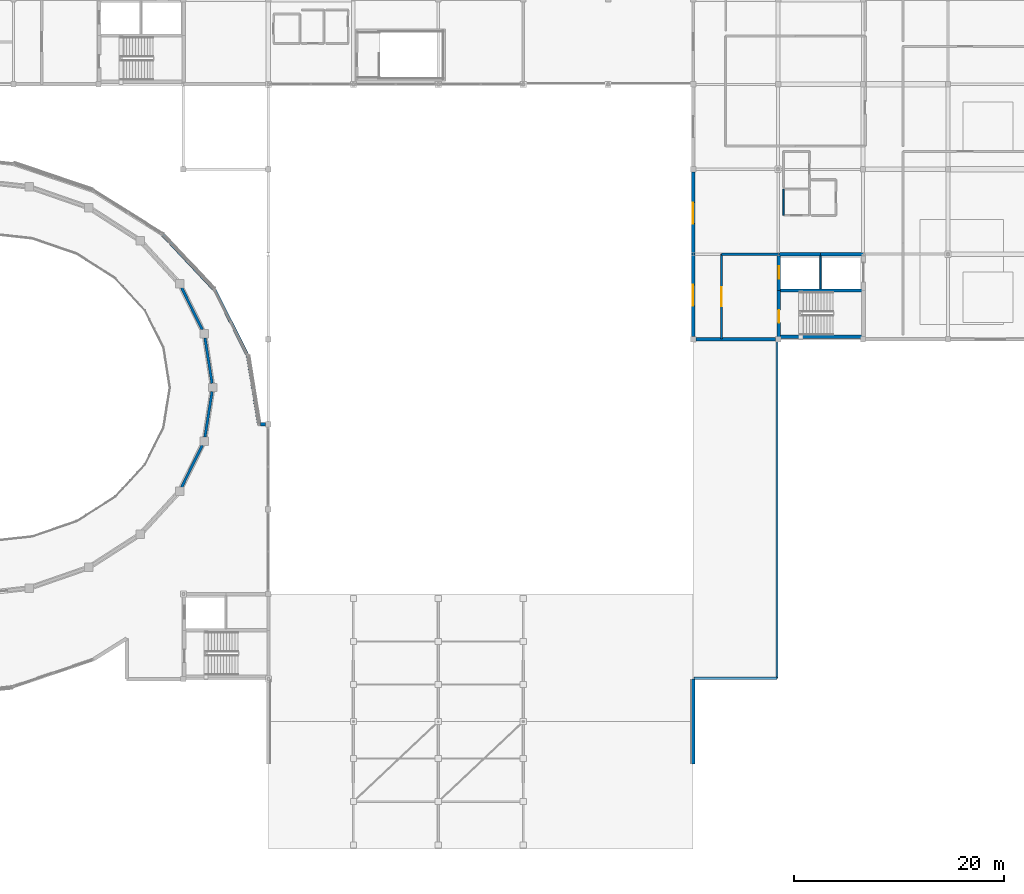
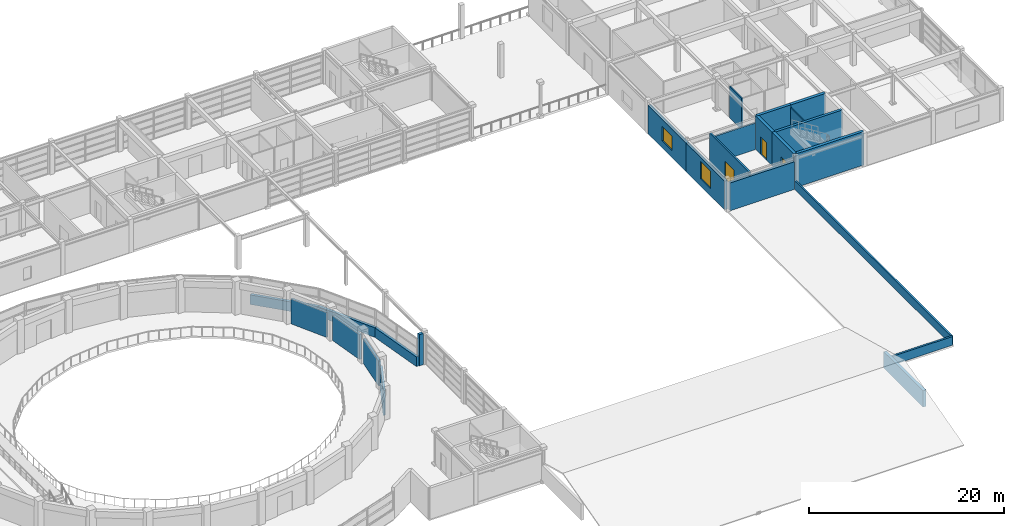
# One storey, part 41 of 54: 24 walls, 3 doors, 2 windows, 5 openings.
"""IFC4 building model written with IfcOpenShell, lengths in metres."""

from ifc_helpers import new_model, si_unit, direction, frame, frame_2d, origin, place, context, subcontext, project, spatial, rectangle, extrude, material, layer, layer_set, type_object, element, fill, save


model = new_model("IFC4")

# Units and contexts
model_context = context("Model", 3, precision=1e-05, world=origin(), true_north=direction((0.0, 1.0)))
body_context = subcontext(model_context, "Body", "Model", "MODEL_VIEW")
ifc_project = project(units=[si_unit("LENGTHUNIT", "METRE"), si_unit("AREAUNIT", "SQUARE_METRE"), si_unit("VOLUMEUNIT", "CUBIC_METRE"), si_unit("PLANEANGLEUNIT", "RADIAN"), si_unit("MASSUNIT", "GRAM", prefix="KILO")], contexts=[model_context])

# Site, building, storey
site_placement = place(None, origin())
site = spatial("IfcSite", under=ifc_project, at=site_placement, CompositionType="ELEMENT")
building_placement = place(site_placement, origin())
building = spatial("IfcBuilding", under=site, at=building_placement, Name="Parian Resonance Hall", CompositionType="ELEMENT")
storey_placement = place(building_placement, frame((0.0, 0.0, 15.0)))
storey = spatial("IfcBuildingStorey", under=building, at=storey_placement, Name="L03", CompositionType="ELEMENT", Elevation=15.0)

# Wall
ifc_material_1 = material(Name="Concrete C40/50", Category="concrete")
ifc_layer_1 = layer(ifc_material_1, 0.31005859375)
ifc_layer_set_1 = layer_set([ifc_layer_1], Name="Concrete C40/50")
wall_type_1 = type_object("IfcWallType", Name="CW310", PredefinedType="SHEAR", material=ifc_layer_set_1)
wall_1_placement = place(storey_placement, frame((121.570068359375, 53.25, 0.0), z_axis=(0.0, 0.0, 1.0), x_axis=(1.0, 0.0, 0.0)))
element("IfcWall", 1, at=wall_1_placement, inside=storey, type_object=wall_type_1, Name="Core K2 stair-lift divider wall L03", PredefinedType="SHEAR", context=body_context, shape_type="SweptSolid", body=[
    extrude(rectangle(XDim=8.059814453125, YDim=0.31005859375, at=frame_2d((4.02978515625, 0.0))), origin(), (0.0, 0.0, 1.0), 4.199951171875),
])

# Wall, opening, door
ifc_material_2 = material(Name="Concrete C40/50", Category="concrete")
ifc_layer_2 = layer(ifc_material_2, 0.35009765625)
ifc_layer_set_2 = layer_set([ifc_layer_2], Name="Concrete C40/50")
wall_type_2 = type_object("IfcWallType", Name="CW350", PredefinedType="SHEAR", material=ifc_layer_set_2)
wall_2_placement = place(storey_placement, frame((121.570068359375, 48.830078125, 0.0), z_axis=(0.0, 0.0, 1.0), x_axis=(0.0, 1.0, 0.0)))
wall_2 = element("IfcWall", 2, at=wall_2_placement, inside=storey, type_object=wall_type_2, Name="Core K2 stairwell west shear wall L03", PredefinedType="SHEAR", context=body_context, shape_type="SweptSolid", body=[
    extrude(rectangle(XDim=4.419921875, YDim=0.35009765625, at=frame_2d((2.2099609375, 0.0))), origin(), (0.0, 0.0, 1.0), 4.199951171875),
])
opening_1_placement = place(wall_2_placement, frame((1.35009765625, 0.0, 0.0)))
opening_1 = element("IfcOpeningElement", 3, at=opening_1_placement, cuts=wall_2, Name="Opening FD-01", PredefinedType="OPENING", context=body_context, shape_type="SweptSolid", body=[
    extrude(rectangle(XDim=1.199951171875, YDim=2.25, at=frame_2d((0.60009765625, 1.125))), frame((0.0, 0.18505859375, 0.0), z_axis=(0.0, -1.0, 0.0), x_axis=(1.0, 0.0, 0.0)), (0.0, 0.0, 1.0), 0.3701171875),
])
ifc_material_3 = material(Name="Fire-rated acoustic steel and narra timber door", Category="steel")
door_type_1 = type_object("IfcDoorType", Name="FD-01", OperationType="NOTDEFINED", PredefinedType="DOOR", material=ifc_material_3)
door_1_placement = place(opening_1_placement, origin())
door_1 = element("IfcDoor", 4, at=door_1_placement, inside=storey, type_object=door_type_1, Name="Exit stair ST-02 fire door L03", OperationType="SINGLE_SWING_RIGHT", OverallHeight=2.25, OverallWidth=1.199951171875, PredefinedType="DOOR", context=body_context, shape_type="SweptSolid", body=[
    extrude(rectangle(XDim=1.199951171875, YDim=2.25, at=frame_2d((0.60009765625, 1.125))), frame((0.0, 0.02490234375, 0.0), z_axis=(0.0, -1.0, 0.0), x_axis=(1.0, 0.0, 0.0)), (0.0, 0.0, 1.0), 0.050048828125),
])
fill(opening_1, door_1)

wall_3_placement = place(storey_placement, frame((121.570068359375, 53.25, 0.0), z_axis=(0.0, 0.0, 1.0), x_axis=(0.0, 1.0, 0.0)))
wall_3 = element("IfcWall", 5, at=wall_3_placement, inside=storey, type_object=wall_type_2, Name="Core K2 lift shaft west shear wall L03", PredefinedType="SHEAR", context=body_context, shape_type="SweptSolid", body=[
    extrude(rectangle(XDim=3.449951171875, YDim=0.35009765625, at=frame_2d((1.72509765625, 0.0))), origin(), (0.0, 0.0, 1.0), 4.199951171875),
])
opening_2_placement = place(wall_3_placement, frame((1.125, 0.0, 0.0)))
opening_2 = element("IfcOpeningElement", 6, at=opening_2_placement, cuts=wall_3, Name="Opening LD-01", PredefinedType="OPENING", context=body_context, shape_type="SweptSolid", body=[
    extrude(rectangle(XDim=1.199951171875, YDim=2.199951171875, at=frame_2d((0.60009765625, 1.10009765625))), frame((0.0, 0.18505859375, 0.0), z_axis=(0.0, -1.0, 0.0), x_axis=(1.0, 0.0, 0.0)), (0.0, 0.0, 1.0), 0.3701171875),
])
ifc_material_4 = material(Name="Stainless steel and bronze elevator cab", Category="steel")
door_type_2 = type_object("IfcDoorType", Name="DOOR-LIFT-1200x2200", OperationType="SLIDING_TO_LEFT", PredefinedType="DOOR", material=ifc_material_4)
door_2_placement = place(opening_2_placement, origin())
door_2 = element("IfcDoor", 7, at=door_2_placement, inside=storey, type_object=door_type_2, Name="Lift LF-02 sliding landing door L03", OperationType="SLIDING_TO_LEFT", OverallHeight=2.199951171875, OverallWidth=1.199951171875, PredefinedType="DOOR", context=body_context, shape_type="SweptSolid", body=[
    extrude(rectangle(XDim=1.199951171875, YDim=2.199951171875, at=frame_2d((0.60009765625, 1.10009765625))), frame((0.0, 0.02490234375, 0.0), z_axis=(0.0, -1.0, 0.0), x_axis=(1.0, 0.0, 0.0)), (0.0, 0.0, 1.0), 0.050048828125),
])
fill(opening_2, door_2)

# Walls
wall_4_placement = place(storey_placement, frame((121.570068359375, 56.699951171875, 0.0), z_axis=(0.0, 0.0, 1.0), x_axis=(1.0, 0.0, 0.0)))
element("IfcWall", 8, at=wall_4_placement, inside=storey, type_object=wall_type_2, Name="Core K2 north-west shaft wall L03", PredefinedType="SHEAR", context=body_context, shape_type="SweptSolid", body=[
    extrude(rectangle(XDim=3.97998046875, YDim=0.35009765625, at=frame_2d((1.989990234375, 0.0))), origin(), (0.0, 0.0, 1.0), 4.199951171875),
])
wall_5_placement = place(storey_placement, frame((125.550048828125, 56.699951171875, 0.0), z_axis=(0.0, 0.0, 1.0), x_axis=(1.0, 0.0, 0.0)))
element("IfcWall", 9, at=wall_5_placement, inside=storey, type_object=wall_type_2, Name="Core K2 north-east shaft wall L03", PredefinedType="SHEAR", context=body_context, shape_type="SweptSolid", body=[
    extrude(rectangle(XDim=4.079833984375, YDim=0.35009765625, at=frame_2d((2.0400390625, 0.0))), origin(), (0.0, 0.0, 1.0), 4.199951171875),
])
wall_6_placement = place(storey_placement, frame((129.6298828125, 48.830078125, 0.0), z_axis=(0.0, 0.0, 1.0), x_axis=(-1.0, 0.0, 0.0)))
element("IfcWall", 10, at=wall_6_placement, inside=storey, type_object=wall_type_2, Name="Core K2 stairwell south wall L03", PredefinedType="SHEAR", context=body_context, shape_type="SweptSolid", body=[
    extrude(rectangle(XDim=8.059814453125, YDim=0.35009765625, at=frame_2d((4.02978515625, 0.0))), origin(), (0.0, 0.0, 1.0), 4.199951171875),
])
ifc_material_5 = material(Name="Concrete C35/45 parapet", Category="concrete")
ifc_layer_3 = layer(ifc_material_5, 0.2099609375)
ifc_layer_set_3 = layer_set([ifc_layer_3], Name="Concrete C35/45 parapet")
wall_type_3 = type_object("IfcWallType", Name="EW-PAR-210", PredefinedType="PARAPET", material=ifc_layer_set_3)
wall_7_placement = place(storey_placement, frame((121.39990234375, 16.300048828125, 0.0), z_axis=(0.0, 0.0, 1.0), x_axis=(0.0, 1.0, 0.0)))
element("IfcWall", 11, at=wall_7_placement, inside=storey, type_object=wall_type_3, Name="Roof parapet L03-03", PredefinedType="PARAPET", context=body_context, shape_type="SweptSolid", body=[
    extrude(rectangle(XDim=32.199951171875, YDim=0.2099609375, at=frame_2d((16.10009765625, 0.0))), origin(), (0.0, 0.0, 1.0), 1.10009765625),
])
ifc_material_6 = material(Name="Concrete C35/45 parapet", Category="concrete")
ifc_layer_4 = layer(ifc_material_6, 0.22998046875)
ifc_layer_set_4 = layer_set([ifc_layer_4], Name="Concrete C35/45 parapet")
wall_type_4 = type_object("IfcWallType", Name="EW-PAR-230", PredefinedType="PARAPET", material=ifc_layer_set_4)
wall_8_placement = place(storey_placement, frame((113.5, 16.300048828125, 0.0), z_axis=(0.0, 0.0, 1.0), x_axis=(1.0, 0.0, 0.0)))
element("IfcWall", 12, at=wall_8_placement, inside=storey, type_object=wall_type_4, Name="Roof parapet L03-02", PredefinedType="PARAPET", context=body_context, shape_type="SweptSolid", body=[
    extrude(rectangle(XDim=7.89990234375, YDim=0.22998046875, at=frame_2d((3.949951171875, 0.0))), origin(), (0.0, 0.0, 1.0), 1.10009765625),
])
ifc_material_7 = material(Name="Concrete C35/45 with white lime plaster and polychrome mosaic", Category="concrete")
ifc_layer_5 = layer(ifc_material_7, 0.320068359375)
ifc_layer_set_5 = layer_set([ifc_layer_5], Name="Concrete C35/45 with white lime plaster and polychrome mosaic")
wall_type_5 = type_object("IfcWallType", Name="EW-RING-320", PredefinedType="SOLIDWALL", material=ifc_layer_set_5)
wall_9_placement = place(storey_placement, frame((70.92333984375, 47.077392578125, 0.0), z_axis=(0.0, 0.0, 1.0), x_axis=(0.159181370366, -0.987249356206, 0.0)))
element("IfcWall", 13, at=wall_9_placement, inside=storey, type_object=wall_type_5, Name="Elliptical R3 mosaic spandrel wall 01", PredefinedType="SOLIDWALL", context=body_context, shape_type="SweptSolid", body=[
    extrude(rectangle(XDim=6.763671875, YDim=0.320068359375, at=frame_2d((3.3818359375, 0.0))), origin(), (0.0, 0.0, 1.0), 1.199951171875),
])
wall_10_placement = place(storey_placement, frame((67.766357421875, 53.300048828125, 0.0), z_axis=(0.0, 0.0, 1.0), x_axis=(0.452440262938, -0.891794712068, 0.0)))
element("IfcWall", 14, at=wall_10_placement, inside=storey, type_object=wall_type_5, Name="Elliptical R3 mosaic spandrel wall 02", PredefinedType="SOLIDWALL", context=body_context, shape_type="SweptSolid", body=[
    extrude(rectangle(XDim=6.977783203125, YDim=0.320068359375, at=frame_2d((3.48876953125, 0.0))), origin(), (0.0, 0.0, 1.0), 1.199951171875),
])
wall_11_placement = place(storey_placement, frame((62.74462890625, 58.643310546875, 0.0), z_axis=(0.0, 0.0, 1.0), x_axis=(0.684842129235, -0.728691469708, 0.0)))
element("IfcWall", 15, at=wall_11_placement, inside=storey, type_object=wall_type_5, Name="Elliptical R3 mosaic spandrel wall 03", PredefinedType="SOLIDWALL", context=body_context, shape_type="SweptSolid", body=[
    extrude(rectangle(XDim=7.332763671875, YDim=0.320068359375, at=frame_2d((3.66650390625, 0.0))), origin(), (0.0, 0.0, 1.0), 1.199951171875),
])
ifc_material_8 = material(Name="Concrete C35/45 with Carcar coral-limestone ashlar", Category="masonry")
ifc_layer_6 = layer(ifc_material_8, 0.340087890625)
ifc_layer_set_6 = layer_set([ifc_layer_6], Name="Concrete C35/45 with Carcar coral-limestone ashlar")
wall_type_6 = type_object("IfcWallType", Name="EW-STONE-340", PredefinedType="SOLIDWALL", material=ifc_layer_set_6)
wall_12_placement = place(storey_placement, frame((113.39990234375, 8.10009765625, 0.0), z_axis=(0.0, 0.0, 1.0), x_axis=(0.0, 1.0, 0.0)))
element("IfcWall", 16, at=wall_12_placement, inside=storey, type_object=wall_type_6, Name="Orchestra Rehearsal Hall east gable tympanum", PredefinedType="SOLIDWALL", context=body_context, shape_type="SweptSolid", body=[
    extrude(rectangle(XDim=8.099853515625, YDim=0.340087890625, at=frame_2d((4.0498046875, 0.0))), origin(), (0.0, 0.0, 1.0), 2.050048828125),
])
wall_13_placement = place(storey_placement, frame((72.64990234375, 40.5, 0.0), z_axis=(0.0, 0.0, 1.0), x_axis=(-1.0, 0.0, 0.0)))
element("IfcWall", 17, at=wall_13_placement, inside=storey, type_object=wall_type_6, Name="Perimeter closure wall L03", PredefinedType="SOLIDWALL", context=body_context, shape_type="SweptSolid", body=[
    extrude(rectangle(XDim=0.48486328125, YDim=0.340087890625, at=frame_2d((0.242431640625, 0.0))), origin(), (0.0, 0.0, 1.0), 3.89990234375),
])

# Wall, opening, window
wall_14_placement = place(storey_placement, frame((113.39990234375, 64.550048828125, 0.0), z_axis=(0.0, 0.0, 1.0), x_axis=(0.0, -1.0, 0.0)))
wall_14 = element("IfcWall", 18, at=wall_14_placement, inside=storey, type_object=wall_type_6, Name="Perimeter closure wall L03", PredefinedType="SOLIDWALL", context=body_context, shape_type="SweptSolid", body=[
    extrude(rectangle(XDim=7.85009765625, YDim=0.340087890625, at=frame_2d((3.925048828125, 0.0))), origin(), (0.0, 0.0, 1.0), 3.5869140625),
])
opening_3_placement = place(wall_14_placement, frame((2.925048828125, 0.0, 0.89990234375)))
opening_3 = element("IfcOpeningElement", 19, at=opening_3_placement, cuts=wall_14, Name="Opening WN-37", PredefinedType="OPENING", context=body_context, shape_type="SweptSolid", body=[
    extrude(rectangle(XDim=2.0, YDim=1.800048828125, at=frame_2d((1.0, 0.89990234375))), frame((0.0, 0.179931640625, 0.0), z_axis=(0.0, -1.0, 0.0), x_axis=(1.0, 0.0, 0.0)), (0.0, 0.0, 1.0), 0.360107421875),
])
ifc_material_9 = material(Name="Acoustic laminated double glazing", Category="glass")
window_type_1 = type_object("IfcWindowType", Name="WIN-2000x1800", PartitioningType="SINGLE_PANEL", PredefinedType="WINDOW", material=ifc_material_9)
window_1_placement = place(opening_3_placement, origin())
window_1 = element("IfcWindow", 20, at=window_1_placement, inside=storey, type_object=window_type_1, Name="Acoustic window L03-0108", OverallHeight=1.800048828125, OverallWidth=2.0, PartitioningType="SINGLE_PANEL", PredefinedType="WINDOW", context=body_context, shape_type="SweptSolid", body=[
    extrude(rectangle(XDim=2.0, YDim=1.800048828125, at=frame_2d((1.0, 0.89990234375))), frame((0.0, 0.030029296875, 0.0), z_axis=(0.0, -1.0, 0.0), x_axis=(1.0, 0.0, 0.0)), (0.0, 0.0, 1.0), 0.06005859375),
])
fill(opening_3, window_1)

wall_15_placement = place(storey_placement, frame((113.39990234375, 56.699951171875, 0.0), z_axis=(0.0, 0.0, 1.0), x_axis=(0.0, -1.0, 0.0)))
wall_15 = element("IfcWall", 21, at=wall_15_placement, inside=storey, type_object=wall_type_6, Name="Perimeter closure wall L03", PredefinedType="SOLIDWALL", context=body_context, shape_type="SweptSolid", body=[
    extrude(rectangle(XDim=7.849853515625, YDim=0.340087890625, at=frame_2d((3.9248046875, 0.0))), origin(), (0.0, 0.0, 1.0), 3.5869140625),
])
opening_4_placement = place(wall_15_placement, frame((2.925048828125, 0.0, 0.89990234375)))
opening_4 = element("IfcOpeningElement", 22, at=opening_4_placement, cuts=wall_15, Name="Opening WN-38", PredefinedType="OPENING", context=body_context, shape_type="SweptSolid", body=[
    extrude(rectangle(XDim=2.0, YDim=2.199951171875, at=frame_2d((1.0, 1.10009765625))), frame((0.0, 0.179931640625, 0.0), z_axis=(0.0, -1.0, 0.0), x_axis=(1.0, 0.0, 0.0)), (0.0, 0.0, 1.0), 0.360107421875),
])
ifc_material_10 = material(Name="Acoustic laminated double glazing", Category="glass")
window_type_2 = type_object("IfcWindowType", Name="WIN-2000x2200", PartitioningType="SINGLE_PANEL", PredefinedType="WINDOW", material=ifc_material_10)
window_2_placement = place(opening_4_placement, origin())
window_2 = element("IfcWindow", 23, at=window_2_placement, inside=storey, type_object=window_type_2, Name="Acoustic window L03-0109", OverallHeight=2.199951171875, OverallWidth=2.0, PartitioningType="SINGLE_PANEL", PredefinedType="WINDOW", context=body_context, shape_type="SweptSolid", body=[
    extrude(rectangle(XDim=2.0, YDim=2.199951171875, at=frame_2d((1.0, 1.10009765625))), frame((0.0, 0.030029296875, 0.0), z_axis=(0.0, -1.0, 0.0), x_axis=(1.0, 0.0, 0.0)), (0.0, 0.0, 1.0), 0.06005859375),
])
fill(opening_4, window_2)

# Wall
wall_16_placement = place(storey_placement, frame((113.64990234375, 48.60009765625, 0.0), z_axis=(0.0, 0.0, 1.0), x_axis=(1.0, 0.0, 0.0)))
element("IfcWall", 24, at=wall_16_placement, inside=storey, type_object=wall_type_6, Name="Perimeter closure wall L03", PredefinedType="SOLIDWALL", context=body_context, shape_type="SweptSolid", body=[
    extrude(rectangle(XDim=7.60009765625, YDim=0.340087890625, at=frame_2d((3.800048828125, 0.0))), origin(), (0.0, 0.0, 1.0), 3.47509765625),
])

# Wall, opening, door
ifc_material_11 = material(Name="Concrete C35/45 fire barrier", Category="concrete")
ifc_layer_7 = layer(ifc_material_11, 0.199951171875)
ifc_layer_set_7 = layer_set([ifc_layer_7], Name="Concrete C35/45 fire barrier")
wall_type_7 = type_object("IfcWallType", Name="FW200", PredefinedType="PARTITIONING", material=ifc_layer_set_7)
wall_17_placement = place(storey_placement, frame((116.10009765625, 48.60009765625, 0.0), z_axis=(0.0, 0.0, 1.0), x_axis=(0.0, 1.0, 0.0)))
wall_17 = element("IfcWall", 25, at=wall_17_placement, inside=storey, type_object=wall_type_7, Name="Firefighting lift lobby K2 west fire barrier L03", PredefinedType="PARTITIONING", context=body_context, shape_type="SweptSolid", body=[
    extrude(rectangle(XDim=8.099853515625, YDim=0.199951171875, at=frame_2d((4.0498046875, 0.0))), origin(), (0.0, 0.0, 1.0), 3.89990234375),
])
opening_5_placement = place(wall_17_placement, frame((3.14990234375, 0.0, 0.0)))
opening_5 = element("IfcOpeningElement", 26, at=opening_5_placement, cuts=wall_17, Name="Opening FD-02", PredefinedType="OPENING", context=body_context, shape_type="SweptSolid", body=[
    extrude(rectangle(XDim=1.800048828125, YDim=2.25, at=frame_2d((0.89990234375, 1.125))), frame((0.0, 0.10986328125, 0.0), z_axis=(0.0, -1.0, 0.0), x_axis=(1.0, 0.0, 0.0)), (0.0, 0.0, 1.0), 0.219970703125),
])
ifc_material_12 = material(Name="Fire-rated acoustic steel and narra timber door", Category="steel")
door_type_3 = type_object("IfcDoorType", Name="FD-02", OperationType="NOTDEFINED", PredefinedType="DOOR", material=ifc_material_12)
door_3_placement = place(opening_5_placement, origin())
door_3 = element("IfcDoor", 27, at=door_3_placement, inside=storey, type_object=door_type_3, Name="Firefighting lift lobby K2 smoke-seal fire door L03", OperationType="DOUBLE_DOOR_SINGLE_SWING", OverallHeight=2.25, OverallWidth=1.800048828125, PredefinedType="DOOR", context=body_context, shape_type="SweptSolid", body=[
    extrude(rectangle(XDim=1.800048828125, YDim=2.25, at=frame_2d((0.89990234375, 1.125))), frame((0.0, 0.02490234375, 0.0), z_axis=(0.0, -1.0, 0.0), x_axis=(1.0, 0.0, 0.0)), (0.0, 0.0, 1.0), 0.050048828125),
])
fill(opening_5, door_3)

# Walls
wall_18_placement = place(storey_placement, frame((116.10009765625, 56.699951171875, 0.0), z_axis=(0.0, 0.0, 1.0), x_axis=(1.0, 0.0, 0.0)))
element("IfcWall", 28, at=wall_18_placement, inside=storey, type_object=wall_type_7, Name="Firefighting lift lobby K2 N fire barrier L03", PredefinedType="PARTITIONING", context=body_context, shape_type="SweptSolid", body=[
    extrude(rectangle(XDim=5.469970703125, YDim=0.199951171875, at=frame_2d((2.73486328125, 0.0))), origin(), (0.0, 0.0, 1.0), 3.3359375),
])
ifc_material_13 = material(Name="Concrete C35/45 fire barrier", Category="concrete")
ifc_layer_8 = layer(ifc_material_13, 0.25)
ifc_layer_set_8 = layer_set([ifc_layer_8], Name="Concrete C35/45 fire barrier")
wall_type_8 = type_object("IfcWallType", Name="HW250", PredefinedType="SOLIDWALL", material=ifc_layer_set_8)
wall_19_placement = place(storey_placement, frame((66.858642578125, 48.724609375, 0.0), z_axis=(0.0, 0.0, 1.0), x_axis=(0.154985912507, -0.987916680153, 0.0)))
element("IfcWall", 29, at=wall_19_placement, inside=storey, type_object=wall_type_8, Name="Main Concert Hall acoustic drum wall L03-01", PredefinedType="SOLIDWALL", context=body_context, shape_type="SweptSolid", body=[
    extrude(rectangle(XDim=4.377685546875, YDim=0.25, at=frame_2d((2.18896484375, 0.0))), origin(), (0.0, 0.0, 1.0), 3.1240234375),
])
for number, where, z_axis, x_axis, name in (
    (30, (64.6357421875, 53.5, 0.0), (0.0, 0.0, 1.0), (0.442692313403, -0.896673583671, 0.0), "Main Concert Hall acoustic drum wall L03-02"),
    (31, (66.598388671875, 38.475341796875, 0.0), (0.0, 0.0, 1.0), (-0.442692313403, -0.896673583671, 0.0), "Main Concert Hall acoustic drum wall L03-23"),
):
    element("IfcWall", number, at=place(storey_placement, frame(where, z_axis=z_axis, x_axis=x_axis)), inside=storey, type_object=wall_type_8, Name=name, PredefinedType="SOLIDWALL", context=body_context, shape_type="SweptSolid", body=[
        extrude(rectangle(XDim=4.433349609375, YDim=0.25, at=frame_2d((2.216796875, 0.0))), origin(), (0.0, 0.0, 1.0), 3.1240234375),
    ])
wall_20_placement = place(storey_placement, frame((67.537109375, 43.60009765625, 0.0), z_axis=(0.0, 0.0, 1.0), x_axis=(-0.154985912507, -0.987916680153, 0.0)))
element("IfcWall", 32, at=wall_20_placement, inside=storey, type_object=wall_type_8, Name="Main Concert Hall acoustic drum wall L03-24", PredefinedType="SOLIDWALL", context=body_context, shape_type="SweptSolid", body=[
    extrude(rectangle(XDim=4.377685546875, YDim=0.25, at=frame_2d((2.18896484375, 0.0))), origin(), (0.0, 0.0, 1.0), 3.1240234375),
])
ifc_material_14 = material(Name="Concrete C35/45 acoustic plumbing chase wall", Category="concrete")
ifc_layer_9 = layer(ifc_material_14, 0.14990234375)
ifc_layer_set_9 = layer_set([ifc_layer_9], Name="Concrete C35/45 acoustic plumbing chase wall")
wall_type_9 = type_object("IfcWallType", Name="PW150", PredefinedType="PLUMBINGWALL", material=ifc_layer_set_9)
wall_21_placement = place(storey_placement, frame((125.550048828125, 53.409912109375, 0.0), z_axis=(0.0, 0.0, 1.0), x_axis=(0.0, 1.0, 0.0)))
element("IfcWall", 33, at=wall_21_placement, inside=storey, type_object=wall_type_9, Name="Core K2 shaft plumbing/riser divider L03", PredefinedType="PLUMBINGWALL", context=body_context, shape_type="SweptSolid", body=[
    extrude(rectangle(XDim=3.130126953125, YDim=0.14990234375, at=frame_2d((1.56494140625, 0.0))), origin(), (0.0, 0.0, 1.0), 3.85009765625),
])
wall_22_placement = place(storey_placement, frame((122.0, 60.39990234375, 0.0), z_axis=(0.0, 0.0, 1.0), x_axis=(0.0, 1.0, 0.0)))
element("IfcWall", 34, at=wall_22_placement, inside=storey, type_object=wall_type_9, Name="Interior acoustic partition IW-L03-0217", PredefinedType="PLUMBINGWALL", context=body_context, shape_type="SweptSolid", body=[
    extrude(rectangle(XDim=2.5, YDim=0.14990234375, at=frame_2d((1.25, 0.0))), origin(), (0.0, 0.0, 1.0), 3.919921875),
])

save(model, "model.ifc")
